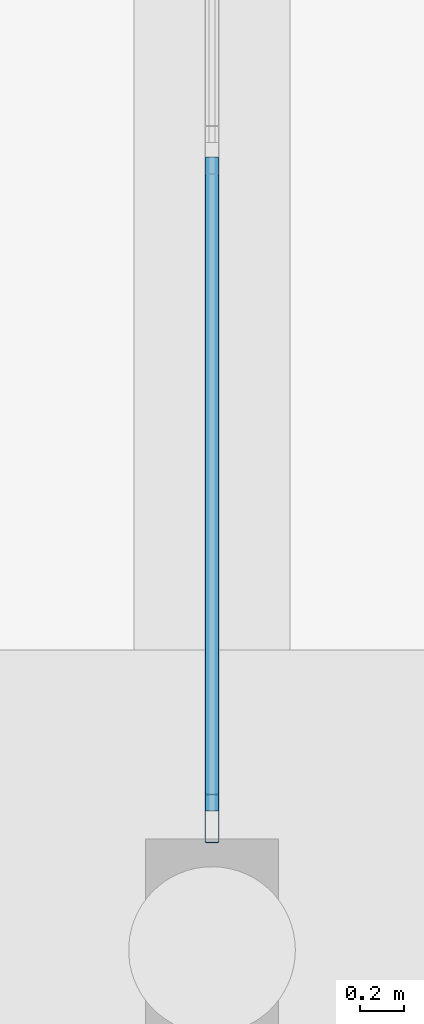
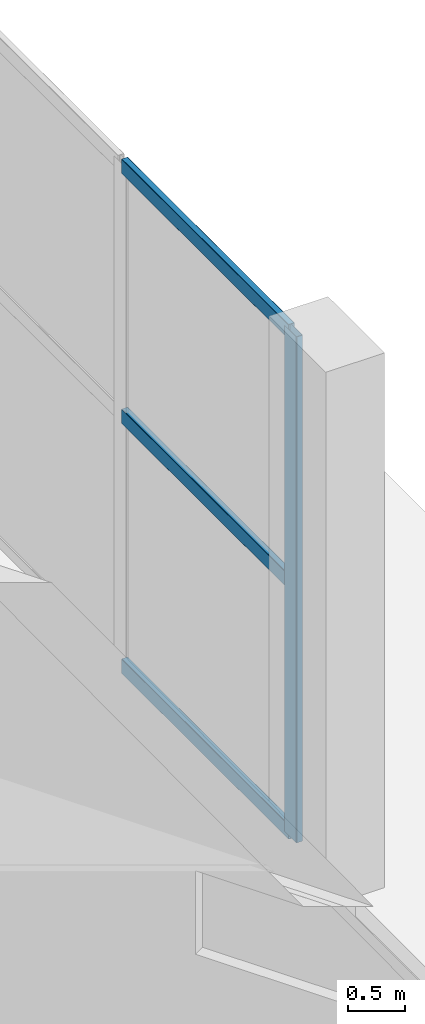
# One storey, part 63 of 103: 4 members, 1 element without a shape of its own.
"""IFC4 building model written with IfcOpenShell, lengths in metres."""

from ifc_helpers import new_model, si_unit, direction, frame, origin, origin_2d, place, context, subcontext, project, spatial, hollow_rectangle, extrude, material, layer, layer_set, material_profile, profile_set, type_object, element, aggregate, save


model = new_model("IFC4")

# Units and contexts
model_context = context("Model", 3, precision=1e-05, world=origin(), true_north=direction((0.0, 1.0)))
body_context = subcontext(model_context, "Body", "Model", "MODEL_VIEW")
ifc_project = project(units=[si_unit("LENGTHUNIT", "METRE"), si_unit("AREAUNIT", "SQUARE_METRE"), si_unit("VOLUMEUNIT", "CUBIC_METRE"), si_unit("PLANEANGLEUNIT", "RADIAN"), si_unit("MASSUNIT", "GRAM", prefix="KILO")], contexts=[model_context])

# Site, building, storey
site_placement = place(None, origin())
site = spatial("IfcSite", under=ifc_project, at=site_placement, CompositionType="ELEMENT")
building_placement = place(site_placement, origin())
building = spatial("IfcBuilding", under=site, at=building_placement, Name="Dunvalen Ferry Terminal", CompositionType="ELEMENT")
storey_placement = place(building_placement, origin())
storey = spatial("IfcBuildingStorey", under=building, at=storey_placement, Name="L00", CompositionType="ELEMENT", Elevation=0.0)

# Curtain wall, members
ifc_material_1 = material(Name="Anodised marine aluminium and solar-control glazing", Category="aluminium")
ifc_layer = layer(ifc_material_1, 0.219970703125, Name="Anodised marine aluminium and solar-control glazing")
ifc_layer_set = layer_set([ifc_layer], Name="Anodised marine aluminium and solar-control glazing")
curtain_wall_type = type_object("IfcCurtainWallType", Name="ENV-CW-SYS-03", PredefinedType="NOTDEFINED", material=ifc_layer_set)
curtain_wall_placement = place(storey_placement, origin())
curtain_wall = element("IfcCurtainWall", 1, at=curtain_wall_placement, inside=storey, type_object=curtain_wall_type, Name="L00 Curtain Wall CW-V2E-L00-1", PredefinedType="NOTDEFINED")
ifc_material_2 = material(Name="Anodised marine aluminium EN AW-6063 T6", Category="aluminium")
ifc_material_profile_1 = material_profile(ifc_material_2, hollow_rectangle(XDim=0.06494140625, YDim=0.219970703125, WallThickness=0.00390625, InnerFilletRadius=0.00390625, OuterFilletRadius=0.008056640625, at=origin_2d()), Name="Anodised marine aluminium EN AW-6063 T6")
ifc_profile_set_1 = profile_set([ifc_material_profile_1], Name="Anodised marine aluminium EN AW-6063 T6")
member_type_1 = type_object("IfcMemberType", Name="ENV-CW-MUL-1", PredefinedType="MULLION", material=ifc_profile_set_1)
member_1_placement = place(storey_placement, frame((168.0, 58.1923828125, 0.0), z_axis=(0.0, 0.0, 1.0), x_axis=(-1.0, 0.0, 0.0)))
member_1 = element("IfcMember", 2, at=member_1_placement, type_object=member_type_1, Name="CW-03 mullion 1", PredefinedType="MULLION", context=body_context, shape_type="SweptSolid", body=[
    extrude(hollow_rectangle(XDim=0.06494140625, YDim=0.219970703125, WallThickness=0.00390625, InnerFilletRadius=0.00390625, OuterFilletRadius=0.008056640625, at=origin_2d()), origin(), (0.0, 0.0, 1.0), 5.449951171875),
])
ifc_material_profile_2 = material_profile(ifc_material_2, hollow_rectangle(XDim=0.06494140625, YDim=0.159912109375, WallThickness=0.00341796875, InnerFilletRadius=0.00341796875, OuterFilletRadius=0.007080078125, at=origin_2d()), Name="Anodised marine aluminium EN AW-6063 T6")
ifc_profile_set_2 = profile_set([ifc_material_profile_2], Name="Anodised marine aluminium EN AW-6063 T6")
member_type_2 = type_object("IfcMemberType", Name="ENV-CW-TRN-1", PredefinedType="USERDEFINED", material=ifc_profile_set_2)
member_2_placement = place(storey_placement, frame((168.0, 58.22509765625, 0.032470703125), z_axis=(0.0, 1.0, 0.0), x_axis=(-1.0, 0.0, 0.0)))
member_2 = element("IfcMember", 3, at=member_2_placement, type_object=member_type_2, Name="CW-03 transom 1.1", ObjectType="TRANSOM", PredefinedType="USERDEFINED", context=body_context, shape_type="SweptSolid", body=[
    extrude(hollow_rectangle(XDim=0.06494140625, YDim=0.159912109375, WallThickness=0.00341796875, InnerFilletRadius=0.00341796875, OuterFilletRadius=0.007080078125, at=origin_2d()), origin(), (0.0, 0.0, 1.0), 2.9423828125),
])
member_3_placement = place(storey_placement, frame((168.0, 58.22509765625, 2.72509765625), z_axis=(0.0, 1.0, 0.0), x_axis=(-1.0, 0.0, 0.0)))
member_3 = element("IfcMember", 4, at=member_3_placement, type_object=member_type_2, Name="CW-03 transom 1.2", ObjectType="TRANSOM", PredefinedType="USERDEFINED", context=body_context, shape_type="SweptSolid", body=[
    extrude(hollow_rectangle(XDim=0.06494140625, YDim=0.159912109375, WallThickness=0.00341796875, InnerFilletRadius=0.00341796875, OuterFilletRadius=0.007080078125, at=origin_2d()), origin(), (0.0, 0.0, 1.0), 2.9423828125),
])
member_4_placement = place(storey_placement, frame((168.0, 58.22509765625, 5.41748046875), z_axis=(0.0, 1.0, 0.0), x_axis=(-1.0, 0.0, 0.0)))
member_4 = element("IfcMember", 5, at=member_4_placement, type_object=member_type_2, Name="CW-03 transom 1.3", ObjectType="TRANSOM", PredefinedType="USERDEFINED", context=body_context, shape_type="SweptSolid", body=[
    extrude(hollow_rectangle(XDim=0.06494140625, YDim=0.159912109375, WallThickness=0.00341796875, InnerFilletRadius=0.00341796875, OuterFilletRadius=0.007080078125, at=origin_2d()), origin(), (0.0, 0.0, 1.0), 2.9423828125),
])
aggregate(curtain_wall, [member_1, member_2, member_3, member_4])

save(model, "model.ifc")
